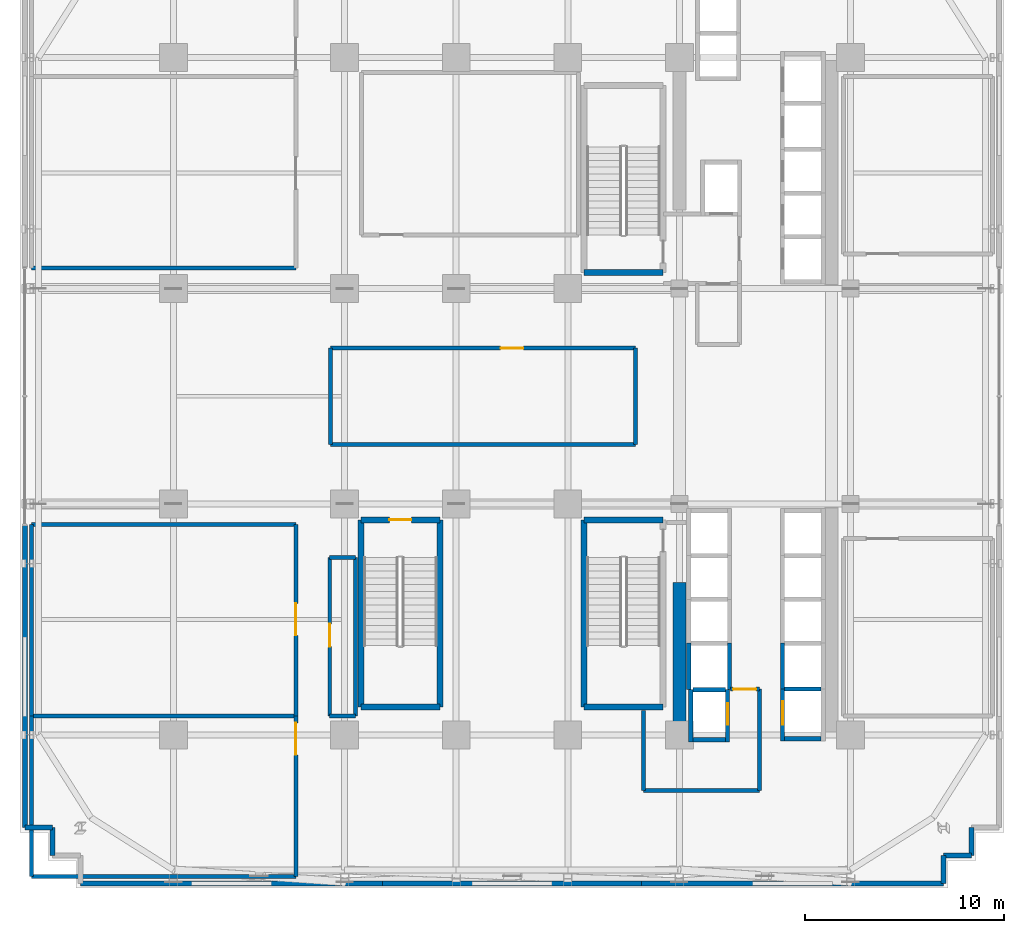
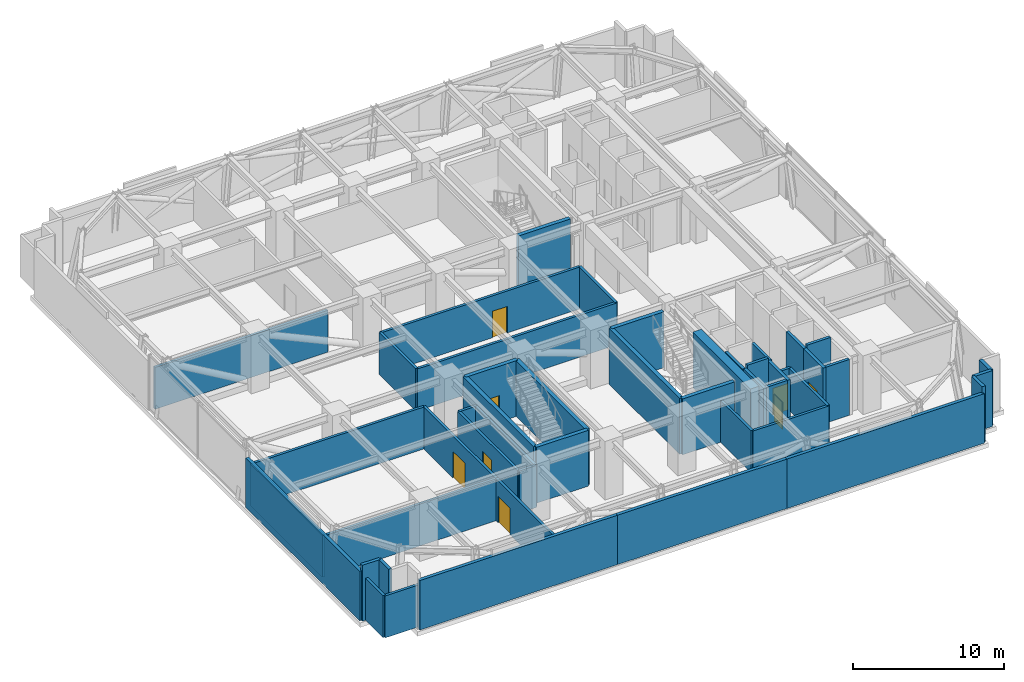
# One storey, part 10 of 17: 48 walls, 8 doors, 8 openings.
"""IFC4 building model written with IfcOpenShell, lengths in metres."""

from ifc_helpers import new_model, si_unit, direction, frame, frame_2d, origin, place, context, subcontext, project, spatial, rectangle, extrude, source, transform, mapped, material, layer, layer_set, type_object, element, fill, save


model = new_model("IFC4")

# Units and contexts
model_context = context("Model", 3, precision=1e-05, world=origin(), true_north=direction((0.0, 1.0)))
body_context = subcontext(model_context, "Body", "Model", "MODEL_VIEW")
ifc_project = project(units=[si_unit("LENGTHUNIT", "METRE"), si_unit("AREAUNIT", "SQUARE_METRE"), si_unit("VOLUMEUNIT", "CUBIC_METRE"), si_unit("PLANEANGLEUNIT", "RADIAN"), si_unit("MASSUNIT", "GRAM", prefix="KILO")], contexts=[model_context])

# Site, building, storey
site_placement = place(None, origin())
site = spatial("IfcSite", under=ifc_project, at=site_placement, CompositionType="ELEMENT")
building_placement = place(site_placement, origin())
building = spatial("IfcBuilding", under=site, at=building_placement, Name="Nahalor Promenade Grand Hotel", CompositionType="ELEMENT")
storey_placement = place(building_placement, frame((0.0, 0.0, 83.5)))
storey = spatial("IfcBuildingStorey", under=building, at=storey_placement, Name="L20", CompositionType="ELEMENT", Elevation=83.5)

# Walls
ifc_material_1 = material(Name="Concrete B-60 (C50/60)", Category="concrete")
ifc_layer_1 = layer(ifc_material_1, 0.64990234375)
ifc_layer_set_1 = layer_set([ifc_layer_1], Name="Concrete B-60 (C50/60)")
wall_type_1 = type_object("IfcWallType", Name="Wall-CoreShear-650", PredefinedType="SHEAR", material=ifc_layer_set_1)
shared_shape_1 = source(origin(), body_context, "Body", "SweptSolid", [
    extrude(rectangle(XDim=7.64990234375, YDim=0.64990234375, at=frame_2d((3.824951171875, 0.0))), origin(), (0.0, 0.0, 1.0), 4.530029296875),
])
wall_1_placement = place(storey_placement, frame((8.39990234375, -17.0, 0.0), z_axis=(0.0, 0.0, 1.0), x_axis=(0.0, 1.0, 0.0)))
element("IfcWall", 1, at=wall_1_placement, inside=storey, type_object=wall_type_1, Name="CWALL-L20-SW", PredefinedType="SHEAR", context=body_context, shape_type="MappedRepresentation", body=[
    mapped(shared_shape_1, transform((0.0, 0.0, 0.0), scale=1.0)),
])
ifc_material_2 = material(Name="Concrete B-50 (C40/50)", Category="concrete")
ifc_layer_2 = layer(ifc_material_2, 0.300048828125)
ifc_layer_set_2 = layer_set([ifc_layer_2], Name="Concrete B-50 (C40/50)")
wall_type_2 = type_object("IfcWallType", Name="Wall-ShaftShear-300", PredefinedType="SHEAR", material=ifc_layer_set_2)
shared_shape_2 = source(origin(), body_context, "Body", "SweptSolid", [
    extrude(rectangle(XDim=3.97998046875, YDim=0.300048828125, at=frame_2d((1.989990234375, 0.0))), origin(), (0.0, 0.0, 1.0), 4.530029296875),
])
for number, where, z_axis, x_axis, name in (
    (2, (3.610107421875, 6.2099609375, 0.0), (0.0, 0.0, 1.0), (1.0, 0.0, 0.0), "L20 Exit Stair ST1 Shaft Wall S"),
    (3, (3.610107421875, -15.590087890625, 0.0), (0.0, 0.0, 1.0), (1.0, 0.0, 0.0), "L20 Exit Stair ST2 Shaft Wall S"),
    (4, (3.610107421875, -6.2099609375, 0.0), (0.0, 0.0, 1.0), (1.0, 0.0, 0.0), "L20 Exit Stair ST2 Shaft Wall N"),
    (5, (-7.590087890625, -15.590087890625, 0.0), (0.0, 0.0, 1.0), (1.0, 0.0, 0.0), "L20 Exit Stair ST3 Shaft Wall S"),
):
    element("IfcWall", number, at=place(storey_placement, frame(where, z_axis=z_axis, x_axis=x_axis)), inside=storey, type_object=wall_type_2, Name=name, PredefinedType="SHEAR", context=body_context, shape_type="MappedRepresentation", body=[
        mapped(shared_shape_2, transform((0.0, 0.0, 0.0), scale=1.0)),
    ])

# Wall, opening, door
wall_2_placement = place(storey_placement, frame((-7.590087890625, -6.2099609375, 0.0), z_axis=(0.0, 0.0, 1.0), x_axis=(1.0, 0.0, 0.0)))
wall_2 = element("IfcWall", 6, at=wall_2_placement, inside=storey, type_object=wall_type_2, Name="L20 Exit Stair ST3 Shaft Wall N", PredefinedType="SHEAR", context=body_context, shape_type="MappedRepresentation", body=[
    mapped(shared_shape_2, transform((0.0, 0.0, 0.0), scale=1.0)),
])
opening_1_placement = place(wall_2_placement, frame((1.43994140625, 0.0, 0.0)))
opening_1 = element("IfcOpeningElement", 7, at=opening_1_placement, cuts=wall_2, Name="Opening D-ST1", PredefinedType="OPENING", context=body_context, shape_type="SweptSolid", body=[
    extrude(rectangle(XDim=1.10009765625, YDim=2.14990234375, at=frame_2d((0.550048828125, 1.074951171875))), frame((0.0, 0.159912109375, 0.0), z_axis=(0.0, -1.0, 0.0), x_axis=(1.0, 0.0, 0.0)), (0.0, 0.0, 1.0), 0.320068359375),
])
ifc_material_3 = material(Name="Steel S355JR", Category="steel")
door_type_1 = type_object("IfcDoorType", Name="Door-StairFire-1100", OperationType="NOTDEFINED", PredefinedType="DOOR", material=ifc_material_3)
shared_shape_3 = source(origin(), body_context, "Body", "SweptSolid", [
    extrude(rectangle(XDim=1.10009765625, YDim=2.14990234375, at=frame_2d((0.550048828125, 1.074951171875))), frame((0.0, 0.02490234375, 0.0), z_axis=(0.0, -1.0, 0.0), x_axis=(1.0, 0.0, 0.0)), (0.0, 0.0, 1.0), 0.050048828125),
])
door_1_placement = place(opening_1_placement, frame((1.10009765625, 0.0, 0.0), z_axis=(0.0, 0.0, 1.0), x_axis=(-1.0, 0.0, 0.0)))
door_1 = element("IfcDoor", 8, at=door_1_placement, inside=storey, type_object=door_type_1, Name="DR-STAIR-ST3-L20", OperationType="SINGLE_SWING_LEFT", OverallHeight=2.14990234375, OverallWidth=1.10009765625, PredefinedType="DOOR", context=body_context, shape_type="MappedRepresentation", body=[
    mapped(shared_shape_3, transform((0.0, 0.0, 0.0), scale=1.0)),
])
fill(opening_1, door_1)

# Walls
shared_shape_4 = source(origin(), body_context, "Body", "SweptSolid", [
    extrude(rectangle(XDim=9.380126953125, YDim=0.300048828125, at=frame_2d((4.68994140625, 0.0))), origin(), (0.0, 0.0, 1.0), 4.530029296875),
])
for number, where, z_axis, x_axis, name in (
    (9, (3.610107421875, -15.590087890625, 0.0), (0.0, 0.0, 1.0), (0.0, 1.0, 0.0), "L20 Exit Stair ST2 Shaft Wall W"),
    (10, (-7.590087890625, -15.590087890625, 0.0), (0.0, 0.0, 1.0), (0.0, 1.0, 0.0), "L20 Exit Stair ST3 Shaft Wall W"),
    (11, (-3.610107421875, -15.590087890625, 0.0), (0.0, 0.0, 1.0), (0.0, 1.0, 0.0), "L20 Exit Stair ST3 Shaft Wall E"),
):
    element("IfcWall", number, at=place(storey_placement, frame(where, z_axis=z_axis, x_axis=x_axis)), inside=storey, type_object=wall_type_2, Name=name, PredefinedType="SHEAR", context=body_context, shape_type="MappedRepresentation", body=[
        mapped(shared_shape_4, transform((0.0, 0.0, 0.0), scale=1.0)),
    ])
ifc_layer_3 = layer(ifc_material_2, 0.219970703125)
ifc_layer_set_3 = layer_set([ifc_layer_3], Name="Concrete B-50 (C40/50)")
wall_type_3 = type_object("IfcWallType", Name="Wall-LiftShaft-220", PredefinedType="SHEAR", material=ifc_layer_set_3)
shared_shape_5 = source(origin(), body_context, "Body", "SweptSolid", [
    extrude(rectangle(XDim=1.820068359375, YDim=0.219970703125, at=frame_2d((0.91015625, 0.0))), origin(), (0.0, 0.0, 1.0), 4.530029296875),
])
wall_3_placement = place(storey_placement, frame((13.68994140625, -17.199951171875, 0.0), z_axis=(0.0, 0.0, 1.0), x_axis=(1.0, 0.0, 0.0)))
element("IfcWall", 12, at=wall_3_placement, inside=storey, type_object=wall_type_3, Name="L20 Lift SV2 Hoistway Wall S", PredefinedType="SHEAR", context=body_context, shape_type="MappedRepresentation", body=[
    mapped(shared_shape_5, transform((0.0, 0.0, 0.0), scale=1.0)),
])
shared_shape_6 = source(origin(), body_context, "Body", "SweptSolid", [
    extrude(rectangle(XDim=1.820068359375, YDim=0.219970703125, at=frame_2d((0.91015625, 0.0))), origin(), (0.0, 0.0, 1.0), 4.800048828125),
])
wall_4_placement = place(storey_placement, frame((13.68994140625, -14.699951171875, 0.0), z_axis=(0.0, 0.0, 1.0), x_axis=(1.0, 0.0, 0.0)))
element("IfcWall", 13, at=wall_4_placement, inside=storey, type_object=wall_type_3, Name="L20 Lift SV2 Hoistway Wall N", PredefinedType="SHEAR", context=body_context, shape_type="MappedRepresentation", body=[
    mapped(shared_shape_6, transform((0.0, 0.0, 0.0), scale=1.0)),
])
shared_shape_7 = source(origin(), body_context, "Body", "SweptSolid", [
    extrude(rectangle(XDim=2.300048828125, YDim=0.219970703125, at=frame_2d((1.14990234375, 0.0))), origin(), (0.0, 0.0, 1.0), 4.530029296875),
])
wall_5_placement = place(storey_placement, frame((13.580078125, -14.699951171875, 0.0), z_axis=(0.0, 0.0, 1.0), x_axis=(0.0, 1.0, 0.0)))
element("IfcWall", 14, at=wall_5_placement, inside=storey, type_object=wall_type_3, Name="L20 Lift PL8 Hoistway Wall W", PredefinedType="SHEAR", context=body_context, shape_type="MappedRepresentation", body=[
    mapped(shared_shape_7, transform((0.0, 0.0, 0.0), scale=1.0)),
])
shared_shape_8 = source(origin(), body_context, "Body", "SweptSolid", [
    extrude(rectangle(XDim=2.3251953125, YDim=0.219970703125, at=frame_2d((1.16259765625, 0.0))), origin(), (0.0, 0.0, 1.0), 4.530029296875),
])
for number, where, z_axis, x_axis, name in (
    (15, (8.8798828125, -14.72509765625, 0.0), (0.0, 0.0, 1.0), (0.0, 1.0, 0.0), "L20 Lift PL12 Hoistway Wall W"),
    (16, (10.919921875, -14.72509765625, 0.0), (0.0, 0.0, 1.0), (0.0, 1.0, 0.0), "L20 Lift PL12 Hoistway Wall E"),
):
    element("IfcWall", number, at=place(storey_placement, frame(where, z_axis=z_axis, x_axis=x_axis)), inside=storey, type_object=wall_type_3, Name=name, PredefinedType="SHEAR", context=body_context, shape_type="MappedRepresentation", body=[
        mapped(shared_shape_8, transform((0.0, 0.0, 0.0), scale=1.0)),
    ])
shared_shape_9 = source(origin(), body_context, "Body", "SweptSolid", [
    extrude(rectangle(XDim=2.635009765625, YDim=0.219970703125, at=frame_2d((1.3173828125, 0.0))), origin(), (0.0, 0.0, 1.0), 4.530029296875),
])
wall_6_placement = place(storey_placement, frame((8.97998046875, -17.360107421875, 0.0), z_axis=(0.0, 0.0, 1.0), x_axis=(0.0, 1.0, 0.0)))
element("IfcWall", 17, at=wall_6_placement, inside=storey, type_object=wall_type_3, Name="L20 Lift FL2 Hoistway Wall W", PredefinedType="SHEAR", context=body_context, shape_type="MappedRepresentation", body=[
    mapped(shared_shape_9, transform((0.0, 0.0, 0.0), scale=1.0)),
])

# Wall, opening, door
wall_7_placement = place(storey_placement, frame((10.820068359375, -17.360107421875, 0.0), z_axis=(0.0, 0.0, 1.0), x_axis=(0.0, 1.0, 0.0)))
wall_7 = element("IfcWall", 18, at=wall_7_placement, inside=storey, type_object=wall_type_3, Name="L20 Lift FL2 Hoistway Wall E", PredefinedType="SHEAR", context=body_context, shape_type="MappedRepresentation", body=[
    mapped(shared_shape_9, transform((0.0, 0.0, 0.0), scale=1.0)),
])
opening_2_placement = place(wall_7_placement, frame((0.860107421875, 0.0, 0.0)))
opening_2 = element("IfcOpeningElement", 19, at=opening_2_placement, cuts=wall_7, Name="Opening LD-02", PredefinedType="OPENING", context=body_context, shape_type="SweptSolid", body=[
    extrude(rectangle(XDim=1.10009765625, YDim=2.199951171875, at=frame_2d((0.550048828125, 1.10009765625))), frame((0.0, 0.119873046875, 0.0), z_axis=(0.0, -1.0, 0.0), x_axis=(1.0, 0.0, 0.0)), (0.0, 0.0, 1.0), 0.239990234375),
])
door_type_2 = type_object("IfcDoorType", Name="Door-LiftFF-1100", OperationType="DOUBLE_DOOR_SLIDING", PredefinedType="DOOR", material=ifc_material_3)
shared_shape_10 = source(origin(), body_context, "Body", "SweptSolid", [
    extrude(rectangle(XDim=1.10009765625, YDim=2.199951171875, at=frame_2d((0.550048828125, 1.10009765625))), frame((0.0, 0.02490234375, 0.0), z_axis=(0.0, -1.0, 0.0), x_axis=(1.0, 0.0, 0.0)), (0.0, 0.0, 1.0), 0.050048828125),
])
door_2_placement = place(opening_2_placement, frame((1.10009765625, 0.0, 0.0), z_axis=(0.0, 0.0, 1.0), x_axis=(-1.0, 0.0, 0.0)))
door_2 = element("IfcDoor", 20, at=door_2_placement, inside=storey, type_object=door_type_2, Name="DR-LIFT-FL2-L20", OperationType="DOUBLE_DOOR_SLIDING", OverallHeight=2.199951171875, OverallWidth=1.10009765625, PredefinedType="DOOR", context=body_context, shape_type="MappedRepresentation", body=[
    mapped(shared_shape_10, transform((0.0, 0.0, 0.0), scale=1.0)),
])
fill(opening_2, door_2)

# Walls
shared_shape_11 = source(origin(), body_context, "Body", "SweptSolid", [
    extrude(rectangle(XDim=1.619873046875, YDim=0.219970703125, at=frame_2d((0.81005859375, 0.0))), origin(), (0.0, 0.0, 1.0), 4.530029296875),
])
wall_8_placement = place(storey_placement, frame((9.090087890625, -17.25, 0.0), z_axis=(0.0, 0.0, 1.0), x_axis=(1.0, 0.0, 0.0)))
element("IfcWall", 21, at=wall_8_placement, inside=storey, type_object=wall_type_3, Name="L20 Lift FL2 Hoistway Wall S", PredefinedType="SHEAR", context=body_context, shape_type="MappedRepresentation", body=[
    mapped(shared_shape_11, transform((0.0, 0.0, 0.0), scale=1.0)),
])
shared_shape_12 = source(origin(), body_context, "Body", "SweptSolid", [
    extrude(rectangle(XDim=1.619873046875, YDim=0.219970703125, at=frame_2d((0.81005859375, 0.0))), origin(), (0.0, 0.0, 1.0), 4.800048828125),
])
wall_9_placement = place(storey_placement, frame((9.090087890625, -14.72509765625, 0.0), z_axis=(0.0, 0.0, 1.0), x_axis=(1.0, 0.0, 0.0)))
element("IfcWall", 22, at=wall_9_placement, inside=storey, type_object=wall_type_3, Name="L20 Lift FL2 Hoistway Wall N", PredefinedType="SHEAR", context=body_context, shape_type="MappedRepresentation", body=[
    mapped(shared_shape_12, transform((0.0, 0.0, 0.0), scale=1.0)),
])

# Wall, opening, door
shared_shape_13 = source(origin(), body_context, "Body", "SweptSolid", [
    extrude(rectangle(XDim=2.610107421875, YDim=0.219970703125, at=frame_2d((1.30517578125, 0.0))), origin(), (0.0, 0.0, 1.0), 4.530029296875),
])
wall_10_placement = place(storey_placement, frame((13.580078125, -17.31005859375, 0.0), z_axis=(0.0, 0.0, 1.0), x_axis=(0.0, 1.0, 0.0)))
wall_10 = element("IfcWall", 23, at=wall_10_placement, inside=storey, type_object=wall_type_3, Name="L20 Lift SV2 Hoistway Wall W", PredefinedType="SHEAR", context=body_context, shape_type="MappedRepresentation", body=[
    mapped(shared_shape_13, transform((0.0, 0.0, 0.0), scale=1.0)),
])
opening_3_placement = place(wall_10_placement, frame((0.81005859375, 0.0, 0.0)))
opening_3 = element("IfcOpeningElement", 24, at=opening_3_placement, cuts=wall_10, Name="Opening LD-03", PredefinedType="OPENING", context=body_context, shape_type="SweptSolid", body=[
    extrude(rectangle(XDim=1.199951171875, YDim=2.199951171875, at=frame_2d((0.60009765625, 1.10009765625))), frame((0.0, 0.119873046875, 0.0), z_axis=(0.0, -1.0, 0.0), x_axis=(1.0, 0.0, 0.0)), (0.0, 0.0, 1.0), 0.239990234375),
])
door_type_3 = type_object("IfcDoorType", Name="Door-LiftService-1200", OperationType="DOUBLE_DOOR_SLIDING", PredefinedType="DOOR", material=ifc_material_3)
shared_shape_14 = source(origin(), body_context, "Body", "SweptSolid", [
    extrude(rectangle(XDim=1.199951171875, YDim=2.199951171875, at=frame_2d((0.60009765625, 1.10009765625))), frame((0.0, 0.02490234375, 0.0), z_axis=(0.0, -1.0, 0.0), x_axis=(1.0, 0.0, 0.0)), (0.0, 0.0, 1.0), 0.050048828125),
])
door_3_placement = place(opening_3_placement, origin())
door_3 = element("IfcDoor", 25, at=door_3_placement, inside=storey, type_object=door_type_3, Name="DR-LIFT-SV2-L20", OperationType="DOUBLE_DOOR_SLIDING", OverallHeight=2.199951171875, OverallWidth=1.199951171875, PredefinedType="DOOR", context=body_context, shape_type="MappedRepresentation", body=[
    mapped(shared_shape_14, transform((0.0, 0.0, 0.0), scale=1.0)),
])
fill(opening_3, door_3)

# Walls
ifc_material_4 = material(Name="Concrete B-40 (C32/40)", Category="concrete")
ifc_layer_4 = layer(ifc_material_4, 0.25)
ifc_layer_set_4 = layer_set([ifc_layer_4], Name="Concrete B-40 (C32/40)")
wall_type_4 = type_object("IfcWallType", Name="Wall-BronzePier-250", PredefinedType="STANDARD", material=ifc_layer_set_4)
shared_shape_15 = source(origin(), body_context, "Body", "SweptSolid", [
    extrude(rectangle(XDim=1.39990234375, YDim=0.25, at=frame_2d((0.699951171875, 0.0))), origin(), (0.0, 0.0, 1.0), 4.530029296875),
])
for number, where, z_axis, x_axis, name in (
    (26, (21.659912109375, -24.4599609375, 0.0), (0.0, 0.0, 1.0), (0.0, 1.0, 0.0), "W-L20-SR-01"),
    (27, (-24.4599609375, -21.659912109375, 0.0), (0.0, 0.0, 1.0), (1.0, 0.0, 0.0), "W-L20-SR-13"),
):
    element("IfcWall", number, at=place(storey_placement, frame(where, z_axis=z_axis, x_axis=x_axis)), inside=storey, type_object=wall_type_4, Name=name, PredefinedType="STANDARD", context=body_context, shape_type="MappedRepresentation", body=[
        mapped(shared_shape_15, transform((0.0, 0.0, 0.0), scale=1.0)),
    ])
shared_shape_16 = source(origin(), body_context, "Body", "SweptSolid", [
    extrude(rectangle(XDim=1.400146484375, YDim=0.25, at=frame_2d((0.7001953125, 0.0))), origin(), (0.0, 0.0, 1.0), 4.530029296875),
])
for number, where, z_axis, x_axis, name in (
    (28, (21.659912109375, -23.06005859375, 0.0), (0.0, 0.0, 1.0), (1.0, 0.0, 0.0), "W-L20-SR-02"),
    (29, (23.06005859375, -23.06005859375, 0.0), (0.0, 0.0, 1.0), (0.0, 1.0, 0.0), "W-L20-SR-03"),
    (30, (-23.06005859375, -23.06005859375, 0.0), (0.0, 0.0, 1.0), (0.0, 1.0, 0.0), "W-L20-SR-14"),
):
    element("IfcWall", number, at=place(storey_placement, frame(where, z_axis=z_axis, x_axis=x_axis)), inside=storey, type_object=wall_type_4, Name=name, PredefinedType="STANDARD", context=body_context, shape_type="MappedRepresentation", body=[
        mapped(shared_shape_16, transform((0.0, 0.0, 0.0), scale=1.0)),
    ])
shared_shape_17 = source(origin(), body_context, "Body", "SweptSolid", [
    extrude(rectangle(XDim=15.159912109375, YDim=0.25, at=frame_2d((7.580078125, 0.0))), origin(), (0.0, 0.0, 1.0), 4.010009765625),
])
for number, where, z_axis, x_axis, name in (
    (31, (-21.659912109375, -24.4599609375, 0.0), (0.0, 0.0, 1.0), (1.0, 0.0, 0.0), "W-L20-PL-SL"),
    (32, (6.5, -24.4599609375, 0.0), (0.0, 0.0, 1.0), (1.0, 0.0, 0.0), "W-L20-PL-SR"),
    (33, (-24.4599609375, -21.659912109375, 0.0), (0.0, 0.0, 1.0), (0.0, 1.0, 0.0), "W-L20-PL-WL"),
):
    element("IfcWall", number, at=place(storey_placement, frame(where, z_axis=z_axis, x_axis=x_axis)), inside=storey, type_object=wall_type_4, Name=name, PredefinedType="STANDARD", context=body_context, shape_type="MappedRepresentation", body=[
        mapped(shared_shape_17, transform((0.0, 0.0, 0.0), scale=1.0)),
    ])
shared_shape_18 = source(origin(), body_context, "Body", "SweptSolid", [
    extrude(rectangle(XDim=13.0, YDim=0.25, at=frame_2d((6.5, 0.0))), origin(), (0.0, 0.0, 1.0), 4.010009765625),
])
wall_11_placement = place(storey_placement, frame((-6.5, -24.4599609375, 0.0), z_axis=(0.0, 0.0, 1.0), x_axis=(1.0, 0.0, 0.0)))
element("IfcWall", 34, at=wall_11_placement, inside=storey, type_object=wall_type_4, Name="W-L20-PL-SM", PredefinedType="STANDARD", context=body_context, shape_type="MappedRepresentation", body=[
    mapped(shared_shape_18, transform((0.0, 0.0, 0.0), scale=1.0)),
])
ifc_layer_5 = layer(ifc_material_4, 0.199951171875)
ifc_layer_set_5 = layer_set([ifc_layer_5], Name="Concrete B-40 (C32/40)")
wall_type_5 = type_object("IfcWallType", Name="Wall-PartFire-200", PredefinedType="PARTITIONING", material=ifc_layer_set_5)
shared_shape_19 = source(origin(), body_context, "Body", "SweptSolid", [
    extrude(rectangle(XDim=5.81982421875, YDim=0.199951171875, at=frame_2d((2.909912109375, 0.0))), origin(), (0.0, 0.0, 1.0), 3.39990234375),
])
wall_12_placement = place(storey_placement, frame((6.60009765625, -19.800048828125, 0.0), z_axis=(0.0, 0.0, 1.0), x_axis=(1.0, 0.0, 0.0)))
element("IfcWall", 35, at=wall_12_placement, inside=storey, type_object=wall_type_5, Name="W-L20-FF2-S1", PredefinedType="PARTITIONING", context=body_context, shape_type="MappedRepresentation", body=[
    mapped(shared_shape_19, transform((0.0, 0.0, 0.0), scale=1.0)),
])
shared_shape_20 = source(origin(), body_context, "Body", "SweptSolid", [
    extrude(rectangle(XDim=4.030029296875, YDim=0.199951171875, at=frame_2d((2.01513671875, 0.0))), origin(), (0.0, 0.0, 1.0), 3.39990234375),
])
wall_13_placement = place(storey_placement, frame((6.60009765625, -19.800048828125, 0.0), z_axis=(0.0, 0.0, 1.0), x_axis=(0.0, 1.0, 0.0)))
element("IfcWall", 36, at=wall_13_placement, inside=storey, type_object=wall_type_5, Name="W-L20-FF2-W1", PredefinedType="PARTITIONING", context=body_context, shape_type="MappedRepresentation", body=[
    mapped(shared_shape_20, transform((0.0, 0.0, 0.0), scale=1.0)),
])
shared_shape_21 = source(origin(), body_context, "Body", "SweptSolid", [
    extrude(rectangle(XDim=5.10009765625, YDim=0.199951171875, at=frame_2d((2.550048828125, 0.0))), origin(), (0.0, 0.0, 1.0), 3.39990234375),
])
wall_14_placement = place(storey_placement, frame((12.419921875, -19.800048828125, 0.0), z_axis=(0.0, 0.0, 1.0), x_axis=(0.0, 1.0, 0.0)))
element("IfcWall", 37, at=wall_14_placement, inside=storey, type_object=wall_type_5, Name="W-L20-FF2-E", PredefinedType="PARTITIONING", context=body_context, shape_type="MappedRepresentation", body=[
    mapped(shared_shape_21, transform((0.0, 0.0, 0.0), scale=1.0)),
])

# Wall, opening, door
shared_shape_22 = source(origin(), body_context, "Body", "SweptSolid", [
    extrude(rectangle(XDim=1.4599609375, YDim=0.199951171875, at=frame_2d((0.72998046875, 0.0))), origin(), (0.0, 0.0, 1.0), 3.39990234375),
])
wall_15_placement = place(storey_placement, frame((10.9599609375, -14.699951171875, 0.0), z_axis=(0.0, 0.0, 1.0), x_axis=(1.0, 0.0, 0.0)))
wall_15 = element("IfcWall", 38, at=wall_15_placement, inside=storey, type_object=wall_type_5, Name="W-L20-FF2-N1", PredefinedType="PARTITIONING", context=body_context, shape_type="MappedRepresentation", body=[
    mapped(shared_shape_22, transform((0.0, 0.0, 0.0), scale=1.0)),
])
opening_4_placement = place(wall_15_placement, frame((0.14501953125, 0.0, 0.0)))
opening_4 = element("IfcOpeningElement", 39, at=opening_4_placement, cuts=wall_15, Name="Opening D-FF1", PredefinedType="OPENING", context=body_context, shape_type="SweptSolid", body=[
    extrude(rectangle(XDim=1.14990234375, YDim=2.14990234375, at=frame_2d((0.574951171875, 1.074951171875))), frame((0.0, 0.10986328125, 0.0), z_axis=(0.0, -1.0, 0.0), x_axis=(1.0, 0.0, 0.0)), (0.0, 0.0, 1.0), 0.219970703125),
])
door_type_4 = type_object("IfcDoorType", Name="Door-FFLobby-1150", OperationType="NOTDEFINED", PredefinedType="DOOR", material=ifc_material_3)
shared_shape_23 = source(origin(), body_context, "Body", "SweptSolid", [
    extrude(rectangle(XDim=1.14990234375, YDim=2.14990234375, at=frame_2d((0.574951171875, 1.074951171875))), frame((0.0, 0.02490234375, 0.0), z_axis=(0.0, -1.0, 0.0), x_axis=(1.0, 0.0, 0.0)), (0.0, 0.0, 1.0), 0.050048828125),
])
door_4_placement = place(opening_4_placement, origin())
door_4 = element("IfcDoor", 40, at=door_4_placement, inside=storey, type_object=door_type_4, Name="DR-L20-FFL2", OperationType="SINGLE_SWING_RIGHT", OverallHeight=2.14990234375, OverallWidth=1.14990234375, PredefinedType="DOOR", context=body_context, shape_type="MappedRepresentation", body=[
    mapped(shared_shape_23, transform((0.0, 0.0, 0.0), scale=1.0)),
])
fill(opening_4, door_4)

# Wall
shared_shape_24 = source(origin(), body_context, "Body", "SweptSolid", [
    extrude(rectangle(XDim=15.300048828125, YDim=0.199951171875, at=frame_2d((7.64990234375, 0.0))), origin(), (0.0, 0.0, 1.0), 3.39990234375),
])
wall_16_placement = place(storey_placement, frame((-9.10009765625, -2.419921875, 0.0), z_axis=(0.0, 0.0, 1.0), x_axis=(1.0, 0.0, 0.0)))
element("IfcWall", 41, at=wall_16_placement, inside=storey, type_object=wall_type_5, Name="W-L20-REF3-S", PredefinedType="PARTITIONING", context=body_context, shape_type="MappedRepresentation", body=[
    mapped(shared_shape_24, transform((0.0, 0.0, 0.0), scale=1.0)),
])

# Wall, opening, door
wall_17_placement = place(storey_placement, frame((-9.10009765625, 2.419921875, 0.0), z_axis=(0.0, 0.0, 1.0), x_axis=(1.0, 0.0, 0.0)))
wall_17 = element("IfcWall", 42, at=wall_17_placement, inside=storey, type_object=wall_type_5, Name="W-L20-REF3-N", PredefinedType="PARTITIONING", context=body_context, shape_type="MappedRepresentation", body=[
    mapped(shared_shape_24, transform((0.0, 0.0, 0.0), scale=1.0)),
])
opening_5_placement = place(wall_17_placement, frame((8.52490234375, 0.0, 0.0)))
opening_5 = element("IfcOpeningElement", 43, at=opening_5_placement, cuts=wall_17, Name="Opening D-FF1", PredefinedType="OPENING", context=body_context, shape_type="SweptSolid", body=[
    extrude(rectangle(XDim=1.14990234375, YDim=2.14990234375, at=frame_2d((0.574951171875, 1.074951171875))), frame((0.0, 0.10986328125, 0.0), z_axis=(0.0, -1.0, 0.0), x_axis=(1.0, 0.0, 0.0)), (0.0, 0.0, 1.0), 0.219970703125),
])
door_5_placement = place(opening_5_placement, frame((1.14990234375, 0.0, 0.0), z_axis=(0.0, 0.0, 1.0), x_axis=(-1.0, 0.0, 0.0)))
door_5 = element("IfcDoor", 44, at=door_5_placement, inside=storey, type_object=door_type_4, Name="DR-L20-REF3", OperationType="SINGLE_SWING_LEFT", OverallHeight=2.14990234375, OverallWidth=1.14990234375, PredefinedType="DOOR", context=body_context, shape_type="MappedRepresentation", body=[
    mapped(shared_shape_23, transform((0.0, 0.0, 0.0), scale=1.0)),
])
fill(opening_5, door_5)

# Walls
shared_shape_25 = source(origin(), body_context, "Body", "SweptSolid", [
    extrude(rectangle(XDim=4.83984375, YDim=0.199951171875, at=frame_2d((2.419921875, 0.0))), origin(), (0.0, 0.0, 1.0), 3.39990234375),
])
for number, where, z_axis, x_axis, name in (
    (45, (-9.10009765625, -2.419921875, 0.0), (0.0, 0.0, 1.0), (0.0, 1.0, 0.0), "W-L20-REF3-W"),
    (46, (6.199951171875, -2.419921875, 0.0), (0.0, 0.0, 1.0), (0.0, 1.0, 0.0), "W-L20-REF3-E"),
):
    element("IfcWall", number, at=place(storey_placement, frame(where, z_axis=z_axis, x_axis=x_axis)), inside=storey, type_object=wall_type_5, Name=name, PredefinedType="PARTITIONING", context=body_context, shape_type="MappedRepresentation", body=[
        mapped(shared_shape_25, transform((0.0, 0.0, 0.0), scale=1.0)),
    ])
shared_shape_26 = source(origin(), body_context, "Body", "SweptSolid", [
    extrude(rectangle(XDim=1.2998046875, YDim=0.199951171875, at=frame_2d((0.64990234375, 0.0))), origin(), (0.0, 0.0, 1.0), 3.39990234375),
])
for number, where, z_axis, x_axis, name in (
    (47, (-9.14990234375, -16.050048828125, 0.0), (0.0, 0.0, 1.0), (1.0, 0.0, 0.0), "W-L20-REF4-S"),
    (48, (-9.14990234375, -8.10009765625, 0.0), (0.0, 0.0, 1.0), (1.0, 0.0, 0.0), "W-L20-REF4-N"),
):
    element("IfcWall", number, at=place(storey_placement, frame(where, z_axis=z_axis, x_axis=x_axis)), inside=storey, type_object=wall_type_5, Name=name, PredefinedType="PARTITIONING", context=body_context, shape_type="MappedRepresentation", body=[
        mapped(shared_shape_26, transform((0.0, 0.0, 0.0), scale=1.0)),
    ])

# Wall, opening, door
shared_shape_27 = source(origin(), body_context, "Body", "SweptSolid", [
    extrude(rectangle(XDim=7.949951171875, YDim=0.199951171875, at=frame_2d((3.97509765625, 0.0))), origin(), (0.0, 0.0, 1.0), 3.39990234375),
])
wall_18_placement = place(storey_placement, frame((-9.14990234375, -16.050048828125, 0.0), z_axis=(0.0, 0.0, 1.0), x_axis=(0.0, 1.0, 0.0)))
wall_18 = element("IfcWall", 49, at=wall_18_placement, inside=storey, type_object=wall_type_5, Name="W-L20-REF4-W", PredefinedType="PARTITIONING", context=body_context, shape_type="MappedRepresentation", body=[
    mapped(shared_shape_27, transform((0.0, 0.0, 0.0), scale=1.0)),
])
opening_6_placement = place(wall_18_placement, frame((3.47509765625, 0.0, 0.0)))
opening_6 = element("IfcOpeningElement", 50, at=opening_6_placement, cuts=wall_18, Name="Opening D-FF1", PredefinedType="OPENING", context=body_context, shape_type="SweptSolid", body=[
    extrude(rectangle(XDim=1.14990234375, YDim=2.14990234375, at=frame_2d((0.574951171875, 1.074951171875))), frame((0.0, 0.10986328125, 0.0), z_axis=(0.0, -1.0, 0.0), x_axis=(1.0, 0.0, 0.0)), (0.0, 0.0, 1.0), 0.219970703125),
])
door_6_placement = place(opening_6_placement, frame((1.14990234375, 0.0, 0.0), z_axis=(0.0, 0.0, 1.0), x_axis=(-1.0, 0.0, 0.0)))
door_6 = element("IfcDoor", 51, at=door_6_placement, inside=storey, type_object=door_type_4, Name="DR-L20-REF4", OperationType="SINGLE_SWING_RIGHT", OverallHeight=2.14990234375, OverallWidth=1.14990234375, PredefinedType="DOOR", context=body_context, shape_type="MappedRepresentation", body=[
    mapped(shared_shape_23, transform((0.0, 0.0, 0.0), scale=1.0)),
])
fill(opening_6, door_6)

# Walls
wall_19_placement = place(storey_placement, frame((-7.85009765625, -16.050048828125, 0.0), z_axis=(0.0, 0.0, 1.0), x_axis=(0.0, 1.0, 0.0)))
element("IfcWall", 52, at=wall_19_placement, inside=storey, type_object=wall_type_5, Name="W-L20-REF4-E", PredefinedType="PARTITIONING", context=body_context, shape_type="MappedRepresentation", body=[
    mapped(shared_shape_27, transform((0.0, 0.0, 0.0), scale=1.0)),
])
shared_shape_28 = source(origin(), body_context, "Body", "SweptSolid", [
    extrude(rectangle(XDim=13.27001953125, YDim=0.199951171875, at=frame_2d((6.635009765625, 0.0))), origin(), (0.0, 0.0, 1.0), 3.39990234375),
])
for number, where, z_axis, x_axis, name in (
    (53, (-24.1201171875, 6.449951171875, 0.0), (0.0, 0.0, 1.0), (1.0, 0.0, 0.0), "W-L20-MP1-S"),
    (54, (-24.1201171875, -16.050048828125, 0.0), (0.0, 0.0, 1.0), (1.0, 0.0, 0.0), "W-L20-MP3-S"),
    (55, (-24.1201171875, -6.449951171875, 0.0), (0.0, 0.0, 1.0), (1.0, 0.0, 0.0), "W-L20-MP3-N"),
    (56, (-24.1201171875, -24.1201171875, 0.0), (0.0, 0.0, 1.0), (1.0, 0.0, 0.0), "W-L20-MP4-S"),
):
    element("IfcWall", number, at=place(storey_placement, frame(where, z_axis=z_axis, x_axis=x_axis)), inside=storey, type_object=wall_type_5, Name=name, PredefinedType="PARTITIONING", context=body_context, shape_type="MappedRepresentation", body=[
        mapped(shared_shape_28, transform((0.0, 0.0, 0.0), scale=1.0)),
    ])
shared_shape_29 = source(origin(), body_context, "Body", "SweptSolid", [
    extrude(rectangle(XDim=9.60009765625, YDim=0.199951171875, at=frame_2d((4.800048828125, 0.0))), origin(), (0.0, 0.0, 1.0), 3.39990234375),
])
wall_20_placement = place(storey_placement, frame((-24.1201171875, -16.050048828125, 0.0), z_axis=(0.0, 0.0, 1.0), x_axis=(0.0, 1.0, 0.0)))
element("IfcWall", 57, at=wall_20_placement, inside=storey, type_object=wall_type_5, Name="W-L20-MP3-W", PredefinedType="PARTITIONING", context=body_context, shape_type="MappedRepresentation", body=[
    mapped(shared_shape_29, transform((0.0, 0.0, 0.0), scale=1.0)),
])

# Wall, opening, door
wall_21_placement = place(storey_placement, frame((-10.85009765625, -16.050048828125, 0.0), z_axis=(0.0, 0.0, 1.0), x_axis=(0.0, 1.0, 0.0)))
wall_21 = element("IfcWall", 58, at=wall_21_placement, inside=storey, type_object=wall_type_5, Name="W-L20-MP3-E", PredefinedType="PARTITIONING", context=body_context, shape_type="MappedRepresentation", body=[
    mapped(shared_shape_29, transform((0.0, 0.0, 0.0), scale=1.0)),
])
opening_7_placement = place(wall_21_placement, frame((4.050048828125, 0.0, 0.0)))
opening_7 = element("IfcOpeningElement", 59, at=opening_7_placement, cuts=wall_21, Name="Opening D-06", PredefinedType="OPENING", context=body_context, shape_type="SweptSolid", body=[
    extrude(rectangle(XDim=1.60009765625, YDim=2.14990234375, at=frame_2d((0.800048828125, 1.074951171875))), frame((0.0, 0.10986328125, 0.0), z_axis=(0.0, -1.0, 0.0), x_axis=(1.0, 0.0, 0.0)), (0.0, 0.0, 1.0), 0.219970703125),
])
door_type_5 = type_object("IfcDoorType", Name="Door-PlantDouble-1600", OperationType="DOUBLE_DOOR_SINGLE_SWING", PredefinedType="DOOR", material=ifc_material_3)
shared_shape_30 = source(origin(), body_context, "Body", "SweptSolid", [
    extrude(rectangle(XDim=1.60009765625, YDim=2.14990234375, at=frame_2d((0.800048828125, 1.074951171875))), frame((0.0, 0.02490234375, 0.0), z_axis=(0.0, -1.0, 0.0), x_axis=(1.0, 0.0, 0.0)), (0.0, 0.0, 1.0), 0.050048828125),
])
door_7_placement = place(opening_7_placement, origin())
door_7 = element("IfcDoor", 60, at=door_7_placement, inside=storey, type_object=door_type_5, Name="DR-L20-MP3", OperationType="DOUBLE_DOOR_SINGLE_SWING", OverallHeight=2.14990234375, OverallWidth=1.60009765625, PredefinedType="DOOR", context=body_context, shape_type="MappedRepresentation", body=[
    mapped(shared_shape_30, transform((0.0, 0.0, 0.0), scale=1.0)),
])
fill(opening_7, door_7)

# Wall
shared_shape_31 = source(origin(), body_context, "Body", "SweptSolid", [
    extrude(rectangle(XDim=8.070068359375, YDim=0.199951171875, at=frame_2d((4.03515625, 0.0))), origin(), (0.0, 0.0, 1.0), 3.39990234375),
])
wall_22_placement = place(storey_placement, frame((-24.1201171875, -24.1201171875, 0.0), z_axis=(0.0, 0.0, 1.0), x_axis=(0.0, 1.0, 0.0)))
element("IfcWall", 61, at=wall_22_placement, inside=storey, type_object=wall_type_5, Name="W-L20-MP4-W", PredefinedType="PARTITIONING", context=body_context, shape_type="MappedRepresentation", body=[
    mapped(shared_shape_31, transform((0.0, 0.0, 0.0), scale=1.0)),
])

# Wall, opening, door
wall_23_placement = place(storey_placement, frame((-10.85009765625, -24.1201171875, 0.0), z_axis=(0.0, 0.0, 1.0), x_axis=(0.0, 1.0, 0.0)))
wall_23 = element("IfcWall", 62, at=wall_23_placement, inside=storey, type_object=wall_type_5, Name="W-L20-MP4-E", PredefinedType="PARTITIONING", context=body_context, shape_type="MappedRepresentation", body=[
    mapped(shared_shape_31, transform((0.0, 0.0, 0.0), scale=1.0)),
])
opening_8_placement = place(wall_23_placement, frame((6.1201171875, 0.0, 0.0)))
opening_8 = element("IfcOpeningElement", 63, at=opening_8_placement, cuts=wall_23, Name="Opening D-06", PredefinedType="OPENING", context=body_context, shape_type="SweptSolid", body=[
    extrude(rectangle(XDim=1.60009765625, YDim=2.14990234375, at=frame_2d((0.800048828125, 1.074951171875))), frame((0.0, 0.10986328125, 0.0), z_axis=(0.0, -1.0, 0.0), x_axis=(1.0, 0.0, 0.0)), (0.0, 0.0, 1.0), 0.219970703125),
])
door_8_placement = place(opening_8_placement, origin())
door_8 = element("IfcDoor", 64, at=door_8_placement, inside=storey, type_object=door_type_5, Name="DR-L20-MP4", OperationType="DOUBLE_DOOR_SINGLE_SWING", OverallHeight=2.14990234375, OverallWidth=1.60009765625, PredefinedType="DOOR", context=body_context, shape_type="MappedRepresentation", body=[
    mapped(shared_shape_30, transform((0.0, 0.0, 0.0), scale=1.0)),
])
fill(opening_8, door_8)

save(model, "model.ifc")
